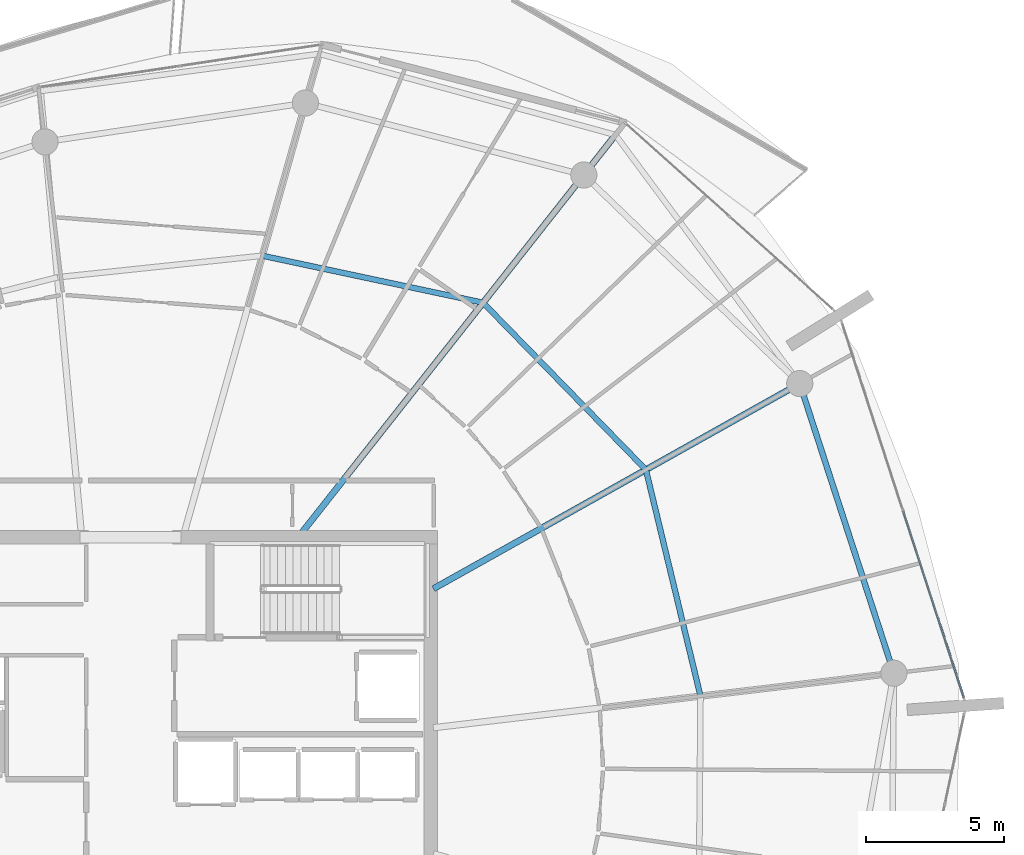
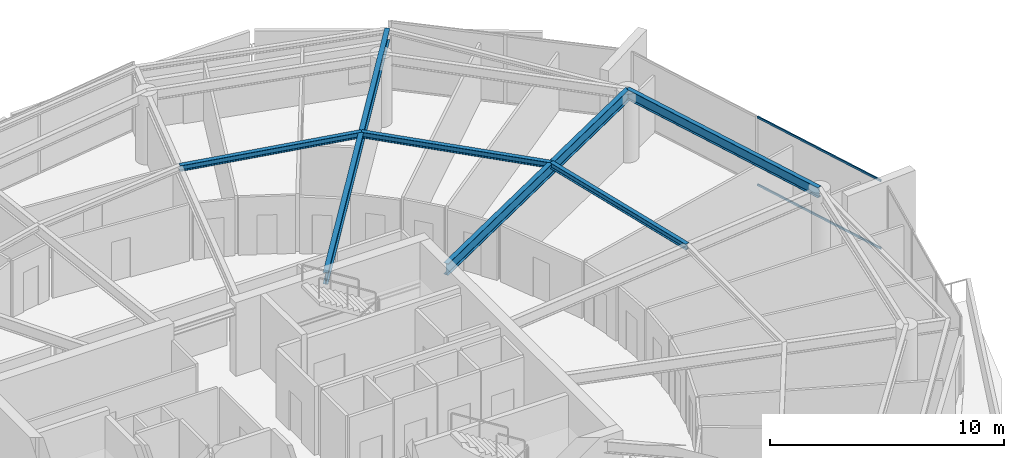
# One storey, part 14 of 30: 6 beams, 2 members, 1 element without a shape of its own.
"""IFC4 building model written with IfcOpenShell, lengths in metres."""

from ifc_helpers import new_model, si_unit, direction, frame, origin, origin_2d, place, context, subcontext, project, spatial, rectangle, i_section, extrude, material, layer, layer_set, material_profile, profile_set, type_object, element, aggregate, save


model = new_model("IFC4")

# Units and contexts
model_context = context("Model", 3, precision=1e-05, world=origin(), true_north=direction((0.0, 1.0)))
body_context = subcontext(model_context, "Body", "Model", "MODEL_VIEW")
ifc_project = project(units=[si_unit("LENGTHUNIT", "METRE"), si_unit("AREAUNIT", "SQUARE_METRE"), si_unit("VOLUMEUNIT", "CUBIC_METRE"), si_unit("PLANEANGLEUNIT", "RADIAN"), si_unit("MASSUNIT", "GRAM", prefix="KILO")], contexts=[model_context])

# Site, building, storey
site_placement = place(None, origin())
site = spatial("IfcSite", under=ifc_project, at=site_placement, CompositionType="ELEMENT")
building_placement = place(site_placement, origin())
building = spatial("IfcBuilding", under=site, at=building_placement, Name="Kazma Halo Residences", CompositionType="ELEMENT")
storey_placement = place(building_placement, frame((0.0, 0.0, 290.60009765625)))
storey = spatial("IfcBuildingStorey", under=building, at=storey_placement, Name="L73", CompositionType="ELEMENT", Elevation=290.60009765625)

# Beams
ifc_material_1 = material(Name="Steel S355", Category="steel")
ifc_material_profile_1 = material_profile(ifc_material_1, i_section(OverallWidth=0.22802734375, OverallDepth=0.60791015625, WebThickness=0.01123046875, FlangeThickness=0.017333984375, FilletRadius=0.01806640625, at=origin_2d()), Name="W610x113")
ifc_profile_set_1 = profile_set([ifc_material_profile_1], Name="Steel S355")
beam_type_1 = type_object("IfcBeamType", Name="BM-RAD-W610", PredefinedType="BEAM", material=ifc_profile_set_1)
beam_1_placement = place(storey_placement, frame((59.39990234375, 48.38427734375, 3.285888671875), z_axis=(0.872501636424, 0.488611189432, 0.0), x_axis=(-0.488611189432, 0.872501636424, 0.0)))
element("IfcBeam", 1, at=beam_1_placement, inside=storey, type_object=beam_type_1, Name="L73 radial floor beam 01", PredefinedType="BEAM", context=body_context, shape_type="SweptSolid", body=[
    extrude(i_section(OverallWidth=0.22802734375, OverallDepth=0.60791015625, WebThickness=0.01123046875, FlangeThickness=0.017333984375, FilletRadius=0.01806640625, at=origin_2d()), origin(), (0.0, 0.0, 1.0), 15.209716796875),
])
beam_2_placement = place(storey_placement, frame((54.58251953125, 50.35009765625, 3.285888671875), z_axis=(0.619094367176, 0.785316601461, 0.0), x_axis=(-0.785316601461, 0.619094367176, 0.0)))
element("IfcBeam", 2, at=beam_2_placement, inside=storey, type_object=beam_type_1, Name="L73 radial floor beam 02", PredefinedType="BEAM", context=body_context, shape_type="SweptSolid", body=[
    extrude(i_section(OverallWidth=0.22802734375, OverallDepth=0.60791015625, WebThickness=0.01123046875, FlangeThickness=0.017333984375, FilletRadius=0.01806640625, at=origin_2d()), origin(), (0.0, 0.0, 1.0), 18.429931640625),
])
ifc_material_profile_2 = material_profile(ifc_material_1, i_section(OverallWidth=0.202880859375, OverallDepth=0.302978515625, WebThickness=0.007568359375, FlangeThickness=0.01318359375, FilletRadius=0.013916015625, at=origin_2d()), Name="W310x60")
ifc_profile_set_2 = profile_set([ifc_material_profile_2], Name="Steel S355")
beam_type_2 = type_object("IfcBeamType", Name="BM-SEC-W310A", PredefinedType="JOIST", material=ifc_profile_set_2)
beam_3_placement = place(storey_placement, frame((67.0966796875, 52.694580078125, 3.4384765625), z_axis=(-0.697959749995, 0.716136989261, 0.0), x_axis=(-0.716136989261, -0.697959749995, 0.0)))
element("IfcBeam", 3, at=beam_3_placement, inside=storey, type_object=beam_type_2, Name="L73 circumferential floor joist 01", PredefinedType="JOIST", context=body_context, shape_type="SweptSolid", body=[
    extrude(i_section(OverallWidth=0.202880859375, OverallDepth=0.302978515625, WebThickness=0.007568359375, FlangeThickness=0.01318359375, FilletRadius=0.013916015625, at=origin_2d()), origin(), (0.0, 0.0, 1.0), 8.4482421875),
])
beam_4_placement = place(storey_placement, frame((61.2001953125, 58.74462890625, 3.4384765625), z_axis=(-0.97806685939, 0.208291186956, 0.0), x_axis=(-0.208291186956, -0.97806685939, 0.0)))
element("IfcBeam", 4, at=beam_4_placement, inside=storey, type_object=beam_type_2, Name="L73 circumferential floor joist 02", PredefinedType="JOIST", context=body_context, shape_type="SweptSolid", body=[
    extrude(i_section(OverallWidth=0.202880859375, OverallDepth=0.302978515625, WebThickness=0.007568359375, FlangeThickness=0.01318359375, FilletRadius=0.013916015625, at=origin_2d()), origin(), (0.0, 0.0, 1.0), 8.1767578125),
])
beam_5_placement = place(storey_placement, frame((69.07421875, 44.494384765625, 3.4384765625), z_axis=(-0.234436822548, 0.972131357499, 0.0), x_axis=(-0.972131357499, -0.234436822548, 0.0)))
element("IfcBeam", 5, at=beam_5_placement, inside=storey, type_object=beam_type_2, Name="L73 circumferential floor joist 16", PredefinedType="JOIST", context=body_context, shape_type="SweptSolid", body=[
    extrude(i_section(OverallWidth=0.202880859375, OverallDepth=0.302978515625, WebThickness=0.007568359375, FlangeThickness=0.01318359375, FilletRadius=0.013916015625, at=origin_2d()), origin(), (0.0, 0.0, 1.0), 8.435302734375),
])
ifc_material_profile_3 = material_profile(ifc_material_1, i_section(OverallWidth=0.208984375, OverallDepth=0.532958984375, WebThickness=0.01025390625, FlangeThickness=0.015625, FilletRadius=0.01611328125, at=origin_2d()), Name="W530x92")
ifc_profile_set_3 = profile_set([ifc_material_profile_3], Name="Steel S355")
beam_type_3 = type_object("IfcBeamType", Name="BM-SPN-W530", PredefinedType="BEAM", material=ifc_profile_set_3)
beam_6_placement = place(storey_placement, frame((76.07958984375, 45.323486328125, 3.323486328125), z_axis=(-0.309015517474, 0.951056996168, 0.0), x_axis=(-0.951056996168, -0.309015517474, 0.0)))
element("IfcBeam", 6, at=beam_6_placement, inside=storey, type_object=beam_type_3, Name="L73 perimeter ring beam 16", PredefinedType="BEAM", context=body_context, shape_type="SweptSolid", body=[
    extrude(i_section(OverallWidth=0.208984375, OverallDepth=0.532958984375, WebThickness=0.01025390625, FlangeThickness=0.015625, FilletRadius=0.01611328125, at=origin_2d()), origin(), (0.0, 0.0, 1.0), 11.032470703125),
])

# Curtain wall, members
ifc_material_2 = material(Name="Aluminium AW-6063 T6 and Triple-Silver Low-E Glass", Category="aluminium")
ifc_layer = layer(ifc_material_2, 0.139892578125)
ifc_layer_set = layer_set([ifc_layer], Name="Aluminium AW-6063 T6 and Triple-Silver Low-E Glass")
curtain_wall_type = type_object("IfcCurtainWallType", Name="CW-SYS-5", PredefinedType="NOTDEFINED", material=ifc_layer_set)
curtain_wall_placement = place(storey_placement, origin())
curtain_wall = element("IfcCurtainWall", 7, at=curtain_wall_placement, inside=storey, type_object=curtain_wall_type, Name="L73 unitised curtain wall B16", PredefinedType="NOTDEFINED")
ifc_material_3 = material(Name="Aluminium AW-6063 T6", Category="aluminium")
ifc_material_profile_4 = material_profile(ifc_material_3, rectangle(XDim=0.06005859375, YDim=0.10498046875, at=origin_2d()), Name="CWT-60x105")
ifc_profile_set_4 = profile_set([ifc_material_profile_4], Name="Aluminium AW-6063 T6")
member_type = type_object("IfcMemberType", Name="CW-SYS-5-TRN", PredefinedType="USERDEFINED", material=ifc_profile_set_4)
member_1_placement = place(storey_placement, frame((78.613525390625, 44.44091796875, 0.02978515625), z_axis=(-0.308995987448, 0.951063341603, 0.0), x_axis=(-0.951063341603, -0.308995987448, 0.0)))
member_1 = element("IfcMember", 8, at=member_1_placement, type_object=member_type, Name="CWS-5 transom 1.1", ObjectType="TRANSOM", PredefinedType="USERDEFINED", context=body_context, shape_type="SweptSolid", body=[
    extrude(rectangle(XDim=0.06005859375, YDim=0.10498046875, at=origin_2d()), origin(), (0.0, 0.0, 1.0), 7.108642578125),
])
member_2_placement = place(storey_placement, frame((78.613525390625, 44.44091796875, 3.559814453125), z_axis=(-0.308995987448, 0.951063341603, 0.0), x_axis=(-0.951063341603, -0.308995987448, 0.0)))
member_2 = element("IfcMember", 9, at=member_2_placement, type_object=member_type, Name="CWS-5 transom 1.2", ObjectType="TRANSOM", PredefinedType="USERDEFINED", context=body_context, shape_type="SweptSolid", body=[
    extrude(rectangle(XDim=0.06005859375, YDim=0.10498046875, at=origin_2d()), origin(), (0.0, 0.0, 1.0), 7.108642578125),
])
aggregate(curtain_wall, [member_1, member_2])

save(model, "model.ifc")
